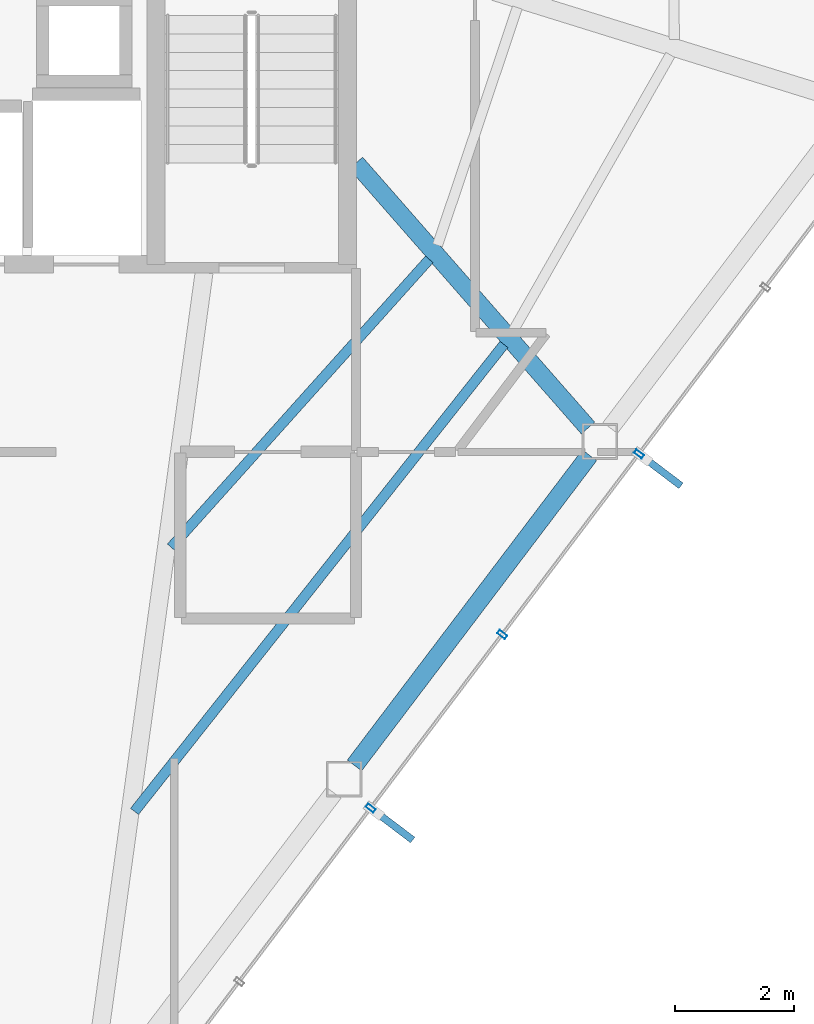
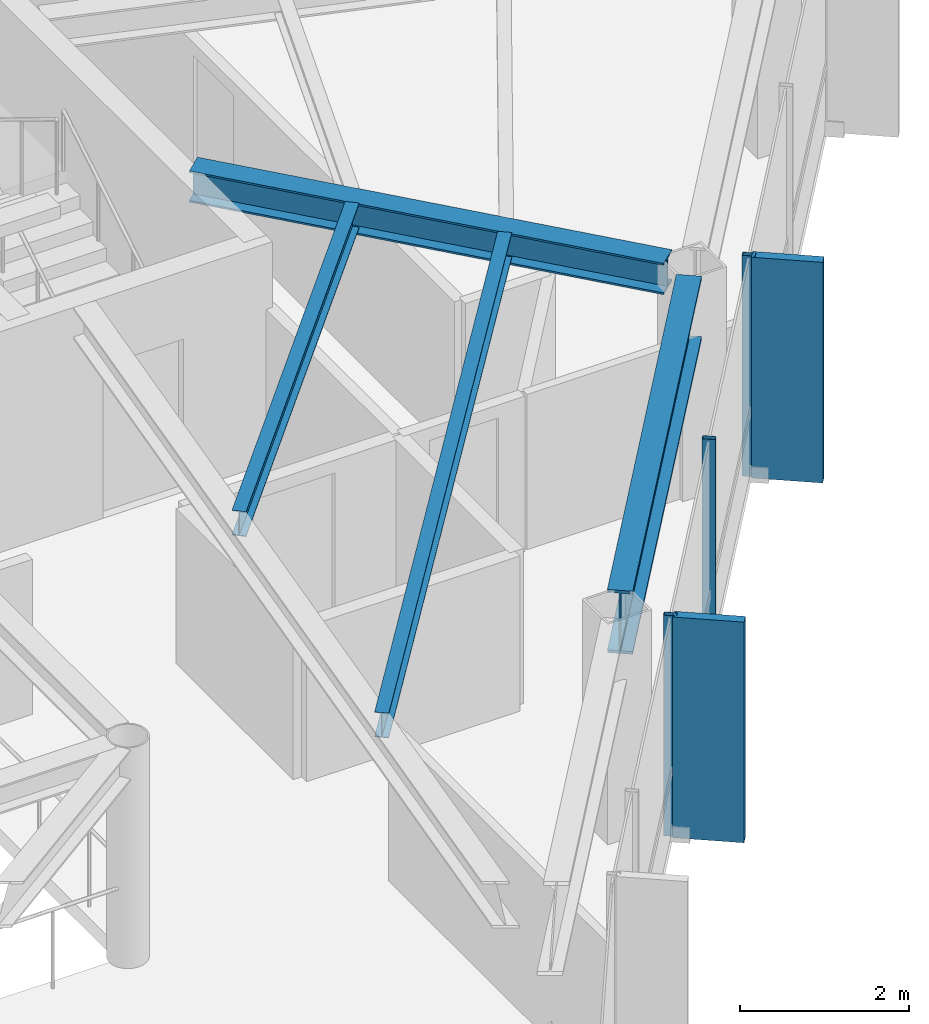
# One storey, part 17 of 27: 5 members, 4 beams, 1 element without a shape of its own.
"""IFC4 building model written with IfcOpenShell, lengths in metres."""

from ifc_helpers import new_model, si_unit, direction, frame, origin, origin_2d, place, context, subcontext, project, spatial, rectangle, hollow_rectangle, i_section, extrude, material, layer, layer_set, material_profile, profile_set, type_object, element, aggregate, save


model = new_model("IFC4")

# Units and contexts
model_context = context("Model", 3, precision=1e-05, world=origin(), true_north=direction((0.0, 1.0)))
body_context = subcontext(model_context, "Body", "Model", "MODEL_VIEW")
ifc_project = project(units=[si_unit("LENGTHUNIT", "METRE"), si_unit("AREAUNIT", "SQUARE_METRE"), si_unit("VOLUMEUNIT", "CUBIC_METRE"), si_unit("PLANEANGLEUNIT", "RADIAN"), si_unit("MASSUNIT", "GRAM", prefix="KILO")], contexts=[model_context])

# Site, building, storey
site_placement = place(None, origin())
site = spatial("IfcSite", under=ifc_project, at=site_placement, CompositionType="ELEMENT")
building_placement = place(site_placement, origin())
building = spatial("IfcBuilding", under=site, at=building_placement, Name="Zarrinselat Tower", CompositionType="ELEMENT")
storey_placement = place(building_placement, frame((0.0, 0.0, 232.56005859375)))
storey = spatial("IfcBuildingStorey", under=building, at=storey_placement, Name="L58", CompositionType="ELEMENT", Elevation=232.56005859375)

# Beams
ifc_material_1 = material(Name="Steel S355J2", Category="steel")
ifc_material_profile_1 = material_profile(ifc_material_1, i_section(OverallWidth=0.300048828125, OverallDepth=0.449951171875, WebThickness=0.013916015625, FlangeThickness=0.02587890625, at=origin_2d()), Name="HEB 450")
ifc_profile_set_1 = profile_set([ifc_material_profile_1], Name="Steel S355J2")
beam_type_1 = type_object("IfcBeamType", Name="BM-HEB450", PredefinedType="BEAM", material=ifc_profile_set_1)
beam_1_placement = place(storey_placement, frame((48.35009765625, 35.0, 2.954833984375), z_axis=(0.658866826236, -0.752259599663, 0.0), x_axis=(0.752259599663, 0.658866826236, 0.0)))
element("IfcBeam", 1, at=beam_1_placement, inside=storey, type_object=beam_type_1, Name="L58 Radial Primary Girder RG13", PredefinedType="BEAM", context=body_context, shape_type="SweptSolid", body=[
    extrude(i_section(OverallWidth=0.300048828125, OverallDepth=0.449951171875, WebThickness=0.013916015625, FlangeThickness=0.02587890625, at=origin_2d()), origin(), (0.0, 0.0, 1.0), 5.915771484375),
])
ifc_material_2 = material(Name="Steel S460M", Category="steel")
ifc_material_profile_2 = material_profile(ifc_material_2, i_section(OverallWidth=0.302001953125, OverallDepth=0.909912109375, WebThickness=0.02099609375, FlangeThickness=0.0400390625, at=origin_2d()), Name="HEM 900")
ifc_profile_set_2 = profile_set([ifc_material_profile_2], Name="Steel S460M")
beam_type_2 = type_object("IfcBeamType", Name="BM-HEM900", PredefinedType="BEAM", material=ifc_profile_set_2)
beam_2_placement = place(storey_placement, frame((48.32568359375, 24.8828125, 2.724853515625), z_axis=(0.603871350868, 0.797081797308, 0.0), x_axis=(-0.797081797308, 0.603871350868, 0.0)))
element("IfcBeam", 2, at=beam_2_placement, inside=storey, type_object=beam_type_2, Name="L58 Perimeter Spandrel Girder SP12", PredefinedType="BEAM", context=body_context, shape_type="SweptSolid", body=[
    extrude(i_section(OverallWidth=0.302001953125, OverallDepth=0.909912109375, WebThickness=0.02099609375, FlangeThickness=0.0400390625, at=origin_2d()), origin(), (0.0, 0.0, 1.0), 6.53662109375),
])
ifc_material_3 = material(Name="Steel S355J2", Category="steel")
ifc_material_profile_3 = material_profile(ifc_material_3, i_section(OverallWidth=0.169921875, OverallDepth=0.360107421875, WebThickness=0.008056640625, FlangeThickness=0.0126953125, at=origin_2d()), Name="IPE 360")
ifc_profile_set_3 = profile_set([ifc_material_profile_3], Name="Steel S355J2")
beam_type_3 = type_object("IfcBeamType", Name="BM-IPE360", PredefinedType="JOIST", material=ifc_profile_set_3)
beam_3_placement = place(storey_placement, frame((44.631591796875, 24.111083984375, 3.0), z_axis=(0.620457764477, 0.784239862861, 0.0), x_axis=(-0.784239862861, 0.620457764477, 0.0)))
element("IfcBeam", 3, at=beam_3_placement, inside=storey, type_object=beam_type_3, Name="L58 Composite Floor Joist 3-1", PredefinedType="JOIST", context=body_context, shape_type="SweptSolid", body=[
    extrude(i_section(OverallWidth=0.169921875, OverallDepth=0.360107421875, WebThickness=0.008056640625, FlangeThickness=0.0126953125, at=origin_2d()), origin(), (0.0, 0.0, 1.0), 9.999267578125),
])
beam_4_placement = place(storey_placement, frame((45.246826171875, 28.546142578125, 3.0), z_axis=(0.667447281069, 0.744657053276, 0.0), x_axis=(-0.744657053276, 0.667447281069, 0.0)))
element("IfcBeam", 4, at=beam_4_placement, inside=storey, type_object=beam_type_3, Name="L58 Composite Floor Joist 3-2", PredefinedType="JOIST", context=body_context, shape_type="SweptSolid", body=[
    extrude(i_section(OverallWidth=0.169921875, OverallDepth=0.360107421875, WebThickness=0.008056640625, FlangeThickness=0.0126953125, at=origin_2d()), origin(), (0.0, 0.0, 1.0), 6.494873046875),
])

# Curtain wall, members
ifc_material_4 = material(Name="Extruded Aluminium Alloy EN AW-6063 T6", Category="aluminium")
ifc_layer = layer(ifc_material_4, 0.169921875)
ifc_layer_set = layer_set([ifc_layer], Name="Extruded Aluminium Alloy EN AW-6063 T6")
curtain_wall_type = type_object("IfcCurtainWallType", Name="CWS-RES", PredefinedType="NOTDEFINED", material=ifc_layer_set)
curtain_wall_placement = place(storey_placement, origin())
curtain_wall = element("IfcCurtainWall", 5, at=curtain_wall_placement, inside=storey, type_object=curtain_wall_type, Name="L58 Unitised Curtain Wall CW-L58-E05", PredefinedType="NOTDEFINED")
ifc_material_5 = material(Name="Extruded Aluminium Alloy EN AW-6063 T6", Category="aluminium")
ifc_material_profile_4 = material_profile(ifc_material_5, hollow_rectangle(XDim=0.070068359375, YDim=0.159912109375, WallThickness=0.00390625, at=origin_2d()), Name="RHS 160x70x4")
ifc_profile_set_4 = profile_set([ifc_material_profile_4], Name="Extruded Aluminium Alloy EN AW-6063 T6")
member_type_1 = type_object("IfcMemberType", Name="MEM-CW-MUL2", PredefinedType="MULLION", material=ifc_profile_set_4)
member_1_placement = place(storey_placement, frame((48.597900390625, 24.165771484375, 0.0), z_axis=(0.0, 0.0, 1.0), x_axis=(0.603858872188, 0.797091251037, 0.0)))
member_1 = element("IfcMember", 6, at=member_1_placement, type_object=member_type_1, Name="CW-L58-E05 Mullion 3", PredefinedType="MULLION", context=body_context, shape_type="SweptSolid", body=[
    extrude(hollow_rectangle(XDim=0.070068359375, YDim=0.159912109375, WallThickness=0.00390625, at=origin_2d()), origin(), (0.0, 0.0, 1.0), 3.179931640625),
])
member_2_placement = place(storey_placement, frame((50.806884765625, 27.081787109375, 0.0), z_axis=(0.0, 0.0, 1.0), x_axis=(0.603858872188, 0.797091251037, 0.0)))
member_2 = element("IfcMember", 7, at=member_2_placement, type_object=member_type_1, Name="CW-L58-E05 Mullion 4", PredefinedType="MULLION", context=body_context, shape_type="SweptSolid", body=[
    extrude(hollow_rectangle(XDim=0.070068359375, YDim=0.159912109375, WallThickness=0.00390625, at=origin_2d()), origin(), (0.0, 0.0, 1.0), 3.179931640625),
])
member_3_placement = place(storey_placement, frame((53.10400390625, 30.11376953125, 0.0), z_axis=(0.0, 0.0, 1.0), x_axis=(0.603858872188, 0.797091251037, 0.0)))
member_3 = element("IfcMember", 8, at=member_3_placement, type_object=member_type_1, Name="CW-L58-E05 Mullion 5", PredefinedType="MULLION", context=body_context, shape_type="SweptSolid", body=[
    extrude(hollow_rectangle(XDim=0.070068359375, YDim=0.159912109375, WallThickness=0.00390625, at=origin_2d()), origin(), (0.0, 0.0, 1.0), 3.179931640625),
])
ifc_material_6 = material(Name="Honed Cream Travertine Stone", Category="masonry")
ifc_material_profile_5 = material_profile(ifc_material_6, rectangle(XDim=0.1201171875, YDim=0.85009765625, at=origin_2d()), Name="FIN 850x120")
ifc_profile_set_5 = profile_set([ifc_material_profile_5], Name="Honed Cream Travertine Stone")
member_type_2 = type_object("IfcMemberType", Name="MEM-STONE-FIN", PredefinedType="USERDEFINED", material=ifc_profile_set_5)
member_4_placement = place(storey_placement, frame((48.964599609375, 23.887939453125, 0.0), z_axis=(0.0, 0.0, 1.0), x_axis=(-0.603858872188, -0.797091251037, 0.0)))
member_4 = element("IfcMember", 9, at=member_4_placement, type_object=member_type_2, Name="L58 Stone Shading Fin CW-L58-E05-03", ObjectType="FIN", PredefinedType="USERDEFINED", context=body_context, shape_type="SweptSolid", body=[
    extrude(rectangle(XDim=0.1201171875, YDim=0.85009765625, at=origin_2d()), origin(), (0.0, 0.0, 1.0), 3.179931640625),
])
member_5_placement = place(storey_placement, frame((53.470703125, 29.8359375, 0.0), z_axis=(0.0, 0.0, 1.0), x_axis=(-0.603858872188, -0.797091251037, 0.0)))
member_5 = element("IfcMember", 10, at=member_5_placement, type_object=member_type_2, Name="L58 Stone Shading Fin CW-L58-E05-05", ObjectType="FIN", PredefinedType="USERDEFINED", context=body_context, shape_type="SweptSolid", body=[
    extrude(rectangle(XDim=0.1201171875, YDim=0.85009765625, at=origin_2d()), origin(), (0.0, 0.0, 1.0), 3.179931640625),
])
aggregate(curtain_wall, [member_1, member_4, member_2, member_3, member_5])

save(model, "model.ifc")
